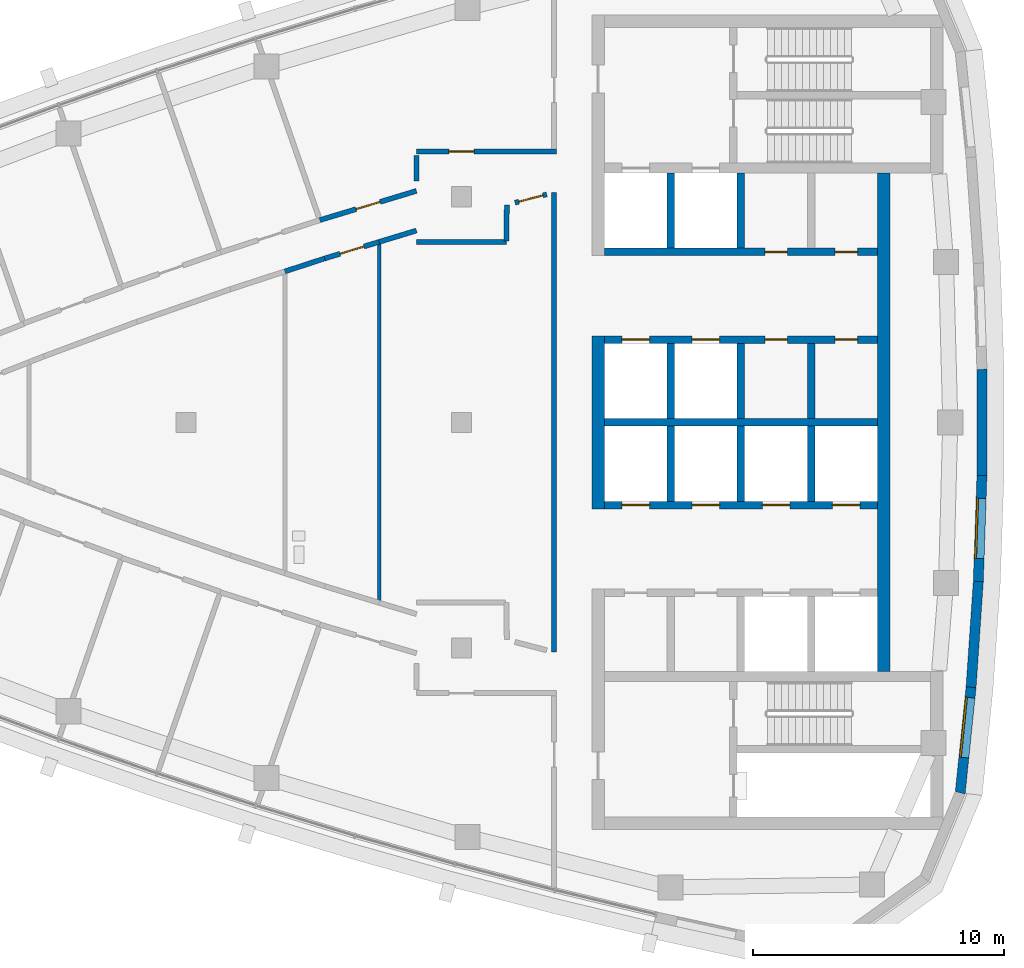
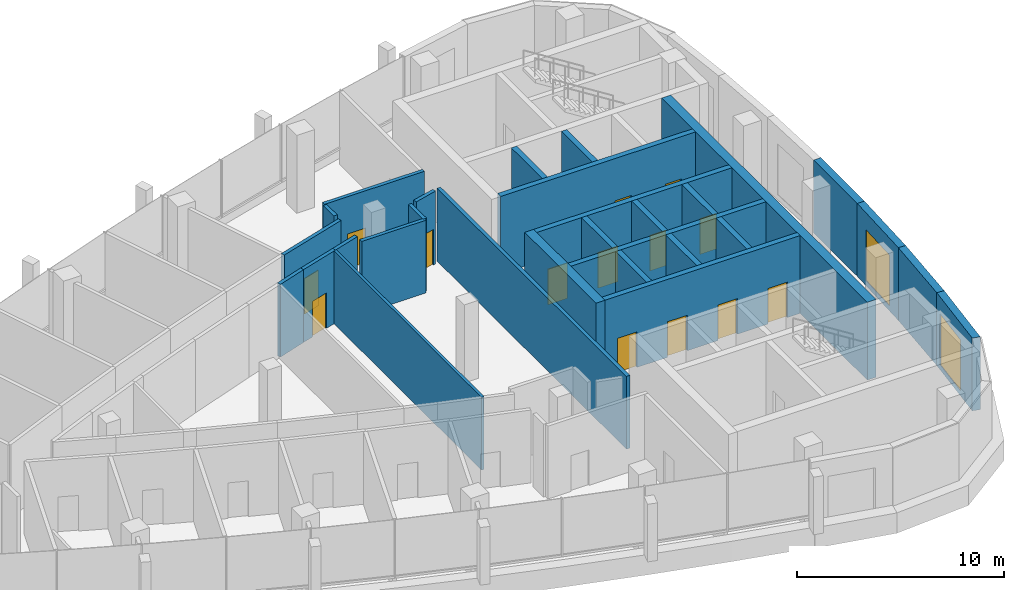
# One storey, part 9 of 15: 29 walls, 14 doors, 2 windows, 16 openings.
"""IFC4 building model written with IfcOpenShell, lengths in metres."""

from ifc_helpers import new_model, si_unit, direction, frame, frame_2d, origin, place, context, subcontext, project, spatial, polyline, rectangle, outline, extrude, material, layer, layer_set, type_object, element, fill, save


model = new_model("IFC4")

# Units and contexts
model_context = context("Model", 3, precision=1e-05, world=origin(), true_north=direction((0.0, 1.0)))
body_context = subcontext(model_context, "Body", "Model", "MODEL_VIEW")
ifc_project = project(units=[si_unit("LENGTHUNIT", "METRE"), si_unit("AREAUNIT", "SQUARE_METRE"), si_unit("VOLUMEUNIT", "CUBIC_METRE"), si_unit("PLANEANGLEUNIT", "RADIAN"), si_unit("MASSUNIT", "GRAM", prefix="KILO")], contexts=[model_context])

# Site, building, storey
site_placement = place(None, origin())
site = spatial("IfcSite", under=ifc_project, at=site_placement, CompositionType="ELEMENT")
building_placement = place(site_placement, origin())
building = spatial("IfcBuilding", under=site, at=building_placement, Name="Ostrand Prow Hotel Tower", CompositionType="ELEMENT")
storey_placement = place(building_placement, frame((0.0, 0.0, 308.60009765625)))
storey = spatial("IfcBuildingStorey", under=building, at=storey_placement, Name="C1", CompositionType="ELEMENT", Elevation=308.60009765625)

# Wall
ifc_material_1 = material(Name="Concrete C40/50", Category="concrete")
ifc_layer_1 = layer(ifc_material_1, 0.300048828125)
ifc_layer_set_1 = layer_set([ifc_layer_1], Name="Concrete C40/50")
wall_type_1 = type_object("IfcWallType", Name="Core wall 300 C40/50", PredefinedType="SHEAR", material=ifc_layer_set_1)
wall_1_placement = place(storey_placement, frame((50.699951171875, 0.0, 0.0), z_axis=(0.0, 0.0, 1.0), x_axis=(1.0, 0.0, 0.0)))
element("IfcWall", 1, at=wall_1_placement, inside=storey, type_object=wall_type_1, Name="Core wall PW-C", PredefinedType="SHEAR", context=body_context, shape_type="SweptSolid", body=[
    extrude(rectangle(XDim=10.900146484375, YDim=0.300048828125, at=frame_2d((5.4501953125, 0.0))), origin(), (0.0, 0.0, 1.0), 4.599853515625),
])

# Wall, openings, doors
wall_2_placement = place(storey_placement, frame((50.699951171875, 3.300048828125, 0.0), z_axis=(0.0, 0.0, 1.0), x_axis=(1.0, 0.0, 0.0)))
wall_2 = element("IfcWall", 2, at=wall_2_placement, inside=storey, type_object=wall_type_1, Name="Core wall PW-L1-N", PredefinedType="SHEAR", context=body_context, shape_type="SweptSolid", body=[
    extrude(rectangle(XDim=10.900146484375, YDim=0.300048828125, at=frame_2d((5.4501953125, 0.0))), origin(), (0.0, 0.0, 1.0), 4.599853515625),
])
opening_1_placement = place(wall_2_placement, frame((0.699951171875, 0.0, 0.0)))
opening_1 = element("IfcOpeningElement", 3, at=opening_1_placement, cuts=wall_2, Name="Opening LD", PredefinedType="OPENING", context=body_context, shape_type="SweptSolid", body=[
    extrude(rectangle(XDim=1.10009765625, YDim=2.10009765625, at=frame_2d((0.550048828125, 1.050048828125))), frame((0.0, 0.159912109375, 0.0), z_axis=(0.0, -1.0, 0.0), x_axis=(1.0, 0.0, 0.0)), (0.0, 0.0, 1.0), 0.320068359375),
])
opening_2_placement = place(wall_2_placement, frame((3.5, 0.0, 0.0)))
opening_2 = element("IfcOpeningElement", 4, at=opening_2_placement, cuts=wall_2, Name="Opening LD", PredefinedType="OPENING", context=body_context, shape_type="SweptSolid", body=[
    extrude(rectangle(XDim=1.10009765625, YDim=2.10009765625, at=frame_2d((0.550048828125, 1.050048828125))), frame((0.0, 0.159912109375, 0.0), z_axis=(0.0, -1.0, 0.0), x_axis=(1.0, 0.0, 0.0)), (0.0, 0.0, 1.0), 0.320068359375),
])
opening_3_placement = place(wall_2_placement, frame((6.39990234375, 0.0, 0.0)))
opening_3 = element("IfcOpeningElement", 5, at=opening_3_placement, cuts=wall_2, Name="Opening FD2", PredefinedType="OPENING", context=body_context, shape_type="SweptSolid", body=[
    extrude(rectangle(XDim=0.89990234375, YDim=2.10009765625, at=frame_2d((0.449951171875, 1.050048828125))), frame((0.0, 0.159912109375, 0.0), z_axis=(0.0, -1.0, 0.0), x_axis=(1.0, 0.0, 0.0)), (0.0, 0.0, 1.0), 0.320068359375),
])
opening_4_placement = place(wall_2_placement, frame((9.199951171875, 0.0, 0.0)))
opening_4 = element("IfcOpeningElement", 6, at=opening_4_placement, cuts=wall_2, Name="Opening FD2", PredefinedType="OPENING", context=body_context, shape_type="SweptSolid", body=[
    extrude(rectangle(XDim=0.89990234375, YDim=2.10009765625, at=frame_2d((0.449951171875, 1.050048828125))), frame((0.0, 0.159912109375, 0.0), z_axis=(0.0, -1.0, 0.0), x_axis=(1.0, 0.0, 0.0)), (0.0, 0.0, 1.0), 0.320068359375),
])
ifc_material_2 = material(Name="Steel fire door", Category="steel")
door_type_1 = type_object("IfcDoorType", Name="Fire door 900 EI120", OperationType="SINGLE_SWING_LEFT", PredefinedType="DOOR", material=ifc_material_2)
door_1_placement = place(opening_3_placement, origin())
door_1 = element("IfcDoor", 7, at=door_1_placement, inside=storey, type_object=door_type_1, Name="DOOR", OperationType="SINGLE_SWING_LEFT", OverallHeight=2.10009765625, OverallWidth=0.89990234375, PredefinedType="DOOR", context=body_context, shape_type="SweptSolid", body=[
    extrude(rectangle(XDim=0.89990234375, YDim=2.10009765625, at=frame_2d((0.449951171875, 1.050048828125))), frame((0.0, 0.02490234375, 0.0), z_axis=(0.0, -1.0, 0.0), x_axis=(1.0, 0.0, 0.0)), (0.0, 0.0, 1.0), 0.050048828125),
])
fill(opening_3, door_1)
door_2_placement = place(opening_4_placement, origin())
door_2 = element("IfcDoor", 8, at=door_2_placement, inside=storey, type_object=door_type_1, Name="DOOR", OperationType="SINGLE_SWING_LEFT", OverallHeight=2.10009765625, OverallWidth=0.89990234375, PredefinedType="DOOR", context=body_context, shape_type="SweptSolid", body=[
    extrude(rectangle(XDim=0.89990234375, YDim=2.10009765625, at=frame_2d((0.449951171875, 1.050048828125))), frame((0.0, 0.02490234375, 0.0), z_axis=(0.0, -1.0, 0.0), x_axis=(1.0, 0.0, 0.0)), (0.0, 0.0, 1.0), 0.050048828125),
])
fill(opening_4, door_2)
ifc_material_3 = material(Name="Stainless steel door", Category="steel")
door_type_2 = type_object("IfcDoorType", Name="Lift landing door 1100", OperationType="DOUBLE_DOOR_SLIDING", PredefinedType="DOOR", material=ifc_material_3)
door_3_placement = place(opening_1_placement, origin())
door_3 = element("IfcDoor", 9, at=door_3_placement, inside=storey, type_object=door_type_2, Name="LIFT LANDING DOOR", OperationType="DOUBLE_DOOR_SLIDING", OverallHeight=2.10009765625, OverallWidth=1.10009765625, PredefinedType="DOOR", context=body_context, shape_type="SweptSolid", body=[
    extrude(rectangle(XDim=1.10009765625, YDim=2.10009765625, at=frame_2d((0.550048828125, 1.050048828125))), frame((0.0, 0.02490234375, 0.0), z_axis=(0.0, -1.0, 0.0), x_axis=(1.0, 0.0, 0.0)), (0.0, 0.0, 1.0), 0.050048828125),
])
fill(opening_1, door_3)
door_4_placement = place(opening_2_placement, origin())
door_4 = element("IfcDoor", 10, at=door_4_placement, inside=storey, type_object=door_type_2, Name="LIFT LANDING DOOR", OperationType="DOUBLE_DOOR_SLIDING", OverallHeight=2.10009765625, OverallWidth=1.10009765625, PredefinedType="DOOR", context=body_context, shape_type="SweptSolid", body=[
    extrude(rectangle(XDim=1.10009765625, YDim=2.10009765625, at=frame_2d((0.550048828125, 1.050048828125))), frame((0.0, 0.02490234375, 0.0), z_axis=(0.0, -1.0, 0.0), x_axis=(1.0, 0.0, 0.0)), (0.0, 0.0, 1.0), 0.050048828125),
])
fill(opening_2, door_4)

wall_3_placement = place(storey_placement, frame((50.699951171875, 6.800048828125, 0.0), z_axis=(0.0, 0.0, 1.0), x_axis=(1.0, 0.0, 0.0)))
wall_3 = element("IfcWall", 11, at=wall_3_placement, inside=storey, type_object=wall_type_1, Name="Core wall PW-L2-N", PredefinedType="SHEAR", context=body_context, shape_type="SweptSolid", body=[
    extrude(rectangle(XDim=10.900146484375, YDim=0.300048828125, at=frame_2d((5.4501953125, 0.0))), origin(), (0.0, 0.0, 1.0), 4.599853515625),
])
opening_5_placement = place(wall_3_placement, frame((6.39990234375, 0.0, 0.0)))
opening_5 = element("IfcOpeningElement", 12, at=opening_5_placement, cuts=wall_3, Name="Opening FD2", PredefinedType="OPENING", context=body_context, shape_type="SweptSolid", body=[
    extrude(rectangle(XDim=0.89990234375, YDim=2.10009765625, at=frame_2d((0.449951171875, 1.050048828125))), frame((0.0, 0.159912109375, 0.0), z_axis=(0.0, -1.0, 0.0), x_axis=(1.0, 0.0, 0.0)), (0.0, 0.0, 1.0), 0.320068359375),
])
opening_6_placement = place(wall_3_placement, frame((9.199951171875, 0.0, 0.0)))
opening_6 = element("IfcOpeningElement", 13, at=opening_6_placement, cuts=wall_3, Name="Opening FD2", PredefinedType="OPENING", context=body_context, shape_type="SweptSolid", body=[
    extrude(rectangle(XDim=0.89990234375, YDim=2.10009765625, at=frame_2d((0.449951171875, 1.050048828125))), frame((0.0, 0.159912109375, 0.0), z_axis=(0.0, -1.0, 0.0), x_axis=(1.0, 0.0, 0.0)), (0.0, 0.0, 1.0), 0.320068359375),
])
door_5_placement = place(opening_5_placement, origin())
door_5 = element("IfcDoor", 14, at=door_5_placement, inside=storey, type_object=door_type_1, Name="DOOR", OperationType="SINGLE_SWING_LEFT", OverallHeight=2.10009765625, OverallWidth=0.89990234375, PredefinedType="DOOR", context=body_context, shape_type="SweptSolid", body=[
    extrude(rectangle(XDim=0.89990234375, YDim=2.10009765625, at=frame_2d((0.449951171875, 1.050048828125))), frame((0.0, 0.02490234375, 0.0), z_axis=(0.0, -1.0, 0.0), x_axis=(1.0, 0.0, 0.0)), (0.0, 0.0, 1.0), 0.050048828125),
])
fill(opening_5, door_5)
door_6_placement = place(opening_6_placement, origin())
door_6 = element("IfcDoor", 15, at=door_6_placement, inside=storey, type_object=door_type_1, Name="DOOR", OperationType="SINGLE_SWING_LEFT", OverallHeight=2.10009765625, OverallWidth=0.89990234375, PredefinedType="DOOR", context=body_context, shape_type="SweptSolid", body=[
    extrude(rectangle(XDim=0.89990234375, YDim=2.10009765625, at=frame_2d((0.449951171875, 1.050048828125))), frame((0.0, 0.02490234375, 0.0), z_axis=(0.0, -1.0, 0.0), x_axis=(1.0, 0.0, 0.0)), (0.0, 0.0, 1.0), 0.050048828125),
])
fill(opening_6, door_6)

# Walls
for number, where, z_axis, x_axis, name in (
    (16, (53.35009765625, 0.14990234375, 0.0), (0.0, 0.0, 1.0), (0.0, 1.0, 0.0), "Core wall PW-R1-NB"),
    (17, (53.35009765625, 6.949951171875, 0.0), (0.0, 0.0, 1.0), (0.0, 1.0, 0.0), "Core wall PW-R1-NA"),
    (18, (56.14990234375, 0.14990234375, 0.0), (0.0, 0.0, 1.0), (0.0, 1.0, 0.0), "Core wall PW-R2-NB"),
    (19, (56.14990234375, 6.949951171875, 0.0), (0.0, 0.0, 1.0), (0.0, 1.0, 0.0), "Core wall PW-R2-NA"),
    (20, (58.949951171875, 0.14990234375, 0.0), (0.0, 0.0, 1.0), (0.0, 1.0, 0.0), "Core wall PW-R3-NB"),
):
    element("IfcWall", number, at=place(storey_placement, frame(where, z_axis=z_axis, x_axis=x_axis)), inside=storey, type_object=wall_type_1, Name=name, PredefinedType="SHEAR", context=body_context, shape_type="SweptSolid", body=[
        extrude(rectangle(XDim=3.0, YDim=0.300048828125, at=frame_2d((1.5, 0.0))), origin(), (0.0, 0.0, 1.0), 4.599853515625),
    ])

# Wall, openings, doors
wall_4_placement = place(storey_placement, frame((50.699951171875, -3.300048828125, 0.0), z_axis=(0.0, 0.0, 1.0), x_axis=(1.0, 0.0, 0.0)))
wall_4 = element("IfcWall", 21, at=wall_4_placement, inside=storey, type_object=wall_type_1, Name="Core wall PW-L1-S", PredefinedType="SHEAR", context=body_context, shape_type="SweptSolid", body=[
    extrude(rectangle(XDim=10.900146484375, YDim=0.300048828125, at=frame_2d((5.4501953125, 0.0))), origin(), (0.0, 0.0, 1.0), 4.599853515625),
])
opening_7_placement = place(wall_4_placement, frame((0.699951171875, 0.0, 0.0)))
opening_7 = element("IfcOpeningElement", 22, at=opening_7_placement, cuts=wall_4, Name="Opening LD", PredefinedType="OPENING", context=body_context, shape_type="SweptSolid", body=[
    extrude(rectangle(XDim=1.10009765625, YDim=2.10009765625, at=frame_2d((0.550048828125, 1.050048828125))), frame((0.0, 0.159912109375, 0.0), z_axis=(0.0, -1.0, 0.0), x_axis=(1.0, 0.0, 0.0)), (0.0, 0.0, 1.0), 0.320068359375),
])
opening_8_placement = place(wall_4_placement, frame((3.5, 0.0, 0.0)))
opening_8 = element("IfcOpeningElement", 23, at=opening_8_placement, cuts=wall_4, Name="Opening LD", PredefinedType="OPENING", context=body_context, shape_type="SweptSolid", body=[
    extrude(rectangle(XDim=1.10009765625, YDim=2.10009765625, at=frame_2d((0.550048828125, 1.050048828125))), frame((0.0, 0.159912109375, 0.0), z_axis=(0.0, -1.0, 0.0), x_axis=(1.0, 0.0, 0.0)), (0.0, 0.0, 1.0), 0.320068359375),
])
opening_9_placement = place(wall_4_placement, frame((6.300048828125, 0.0, 0.0)))
opening_9 = element("IfcOpeningElement", 24, at=opening_9_placement, cuts=wall_4, Name="Opening LD", PredefinedType="OPENING", context=body_context, shape_type="SweptSolid", body=[
    extrude(rectangle(XDim=1.10009765625, YDim=2.10009765625, at=frame_2d((0.550048828125, 1.050048828125))), frame((0.0, 0.159912109375, 0.0), z_axis=(0.0, -1.0, 0.0), x_axis=(1.0, 0.0, 0.0)), (0.0, 0.0, 1.0), 0.320068359375),
])
opening_10_placement = place(wall_4_placement, frame((9.10009765625, 0.0, 0.0)))
opening_10 = element("IfcOpeningElement", 25, at=opening_10_placement, cuts=wall_4, Name="Opening LD", PredefinedType="OPENING", context=body_context, shape_type="SweptSolid", body=[
    extrude(rectangle(XDim=1.10009765625, YDim=2.10009765625, at=frame_2d((0.550048828125, 1.050048828125))), frame((0.0, 0.159912109375, 0.0), z_axis=(0.0, -1.0, 0.0), x_axis=(1.0, 0.0, 0.0)), (0.0, 0.0, 1.0), 0.320068359375),
])
door_7_placement = place(opening_7_placement, origin())
door_7 = element("IfcDoor", 26, at=door_7_placement, inside=storey, type_object=door_type_2, Name="LIFT LANDING DOOR", OperationType="DOUBLE_DOOR_SLIDING", OverallHeight=2.10009765625, OverallWidth=1.10009765625, PredefinedType="DOOR", context=body_context, shape_type="SweptSolid", body=[
    extrude(rectangle(XDim=1.10009765625, YDim=2.10009765625, at=frame_2d((0.550048828125, 1.050048828125))), frame((0.0, 0.02490234375, 0.0), z_axis=(0.0, -1.0, 0.0), x_axis=(1.0, 0.0, 0.0)), (0.0, 0.0, 1.0), 0.050048828125),
])
fill(opening_7, door_7)
door_8_placement = place(opening_8_placement, origin())
door_8 = element("IfcDoor", 27, at=door_8_placement, inside=storey, type_object=door_type_2, Name="LIFT LANDING DOOR", OperationType="DOUBLE_DOOR_SLIDING", OverallHeight=2.10009765625, OverallWidth=1.10009765625, PredefinedType="DOOR", context=body_context, shape_type="SweptSolid", body=[
    extrude(rectangle(XDim=1.10009765625, YDim=2.10009765625, at=frame_2d((0.550048828125, 1.050048828125))), frame((0.0, 0.02490234375, 0.0), z_axis=(0.0, -1.0, 0.0), x_axis=(1.0, 0.0, 0.0)), (0.0, 0.0, 1.0), 0.050048828125),
])
fill(opening_8, door_8)
door_9_placement = place(opening_9_placement, origin())
door_9 = element("IfcDoor", 28, at=door_9_placement, inside=storey, type_object=door_type_2, Name="LIFT LANDING DOOR", OperationType="DOUBLE_DOOR_SLIDING", OverallHeight=2.10009765625, OverallWidth=1.10009765625, PredefinedType="DOOR", context=body_context, shape_type="SweptSolid", body=[
    extrude(rectangle(XDim=1.10009765625, YDim=2.10009765625, at=frame_2d((0.550048828125, 1.050048828125))), frame((0.0, 0.02490234375, 0.0), z_axis=(0.0, -1.0, 0.0), x_axis=(1.0, 0.0, 0.0)), (0.0, 0.0, 1.0), 0.050048828125),
])
fill(opening_9, door_9)
door_10_placement = place(opening_10_placement, origin())
door_10 = element("IfcDoor", 29, at=door_10_placement, inside=storey, type_object=door_type_2, Name="LIFT LANDING DOOR", OperationType="DOUBLE_DOOR_SLIDING", OverallHeight=2.10009765625, OverallWidth=1.10009765625, PredefinedType="DOOR", context=body_context, shape_type="SweptSolid", body=[
    extrude(rectangle(XDim=1.10009765625, YDim=2.10009765625, at=frame_2d((0.550048828125, 1.050048828125))), frame((0.0, 0.02490234375, 0.0), z_axis=(0.0, -1.0, 0.0), x_axis=(1.0, 0.0, 0.0)), (0.0, 0.0, 1.0), 0.050048828125),
])
fill(opening_10, door_10)

# Walls
for number, where, z_axis, x_axis, name in (
    (30, (53.35009765625, -3.14990234375, 0.0), (0.0, 0.0, 1.0), (0.0, 1.0, 0.0), "Core wall PW-R1-SB"),
    (31, (56.14990234375, -3.14990234375, 0.0), (0.0, 0.0, 1.0), (0.0, 1.0, 0.0), "Core wall PW-R2-SB"),
    (32, (58.949951171875, -3.14990234375, 0.0), (0.0, 0.0, 1.0), (0.0, 1.0, 0.0), "Core wall PW-R3-SB"),
):
    element("IfcWall", number, at=place(storey_placement, frame(where, z_axis=z_axis, x_axis=x_axis)), inside=storey, type_object=wall_type_1, Name=name, PredefinedType="SHEAR", context=body_context, shape_type="SweptSolid", body=[
        extrude(rectangle(XDim=3.0, YDim=0.300048828125, at=frame_2d((1.5, 0.0))), origin(), (0.0, 0.0, 1.0), 4.599853515625),
    ])
ifc_material_4 = material(Name="Concrete C40/50", Category="concrete")
ifc_layer_2 = layer(ifc_material_4, 0.5)
ifc_layer_set_2 = layer_set([ifc_layer_2], Name="Concrete C40/50")
wall_type_2 = type_object("IfcWallType", Name="Core wall 500 C40/50", PredefinedType="SHEAR", material=ifc_layer_set_2)
wall_5_placement = place(storey_placement, frame((50.449951171875, -3.449951171875, 0.0), z_axis=(0.0, 0.0, 1.0), x_axis=(0.0, 1.0, 0.0)))
element("IfcWall", 33, at=wall_5_placement, inside=storey, type_object=wall_type_2, Name="Core wall CW-W-C", PredefinedType="SHEAR", context=body_context, shape_type="SweptSolid", body=[
    extrude(rectangle(XDim=6.89990234375, YDim=0.5, at=frame_2d((3.449951171875, 0.0))), origin(), (0.0, 0.0, 1.0), 4.599853515625),
])
wall_6_placement = place(storey_placement, frame((61.85009765625, -9.949951171875, 0.0), z_axis=(0.0, 0.0, 1.0), x_axis=(0.0, 1.0, 0.0)))
element("IfcWall", 34, at=wall_6_placement, inside=storey, type_object=wall_type_2, Name="Core wall CW-E-C", PredefinedType="SHEAR", context=body_context, shape_type="SweptSolid", body=[
    extrude(rectangle(XDim=19.89990234375, YDim=0.5, at=frame_2d((9.949951171875, 0.0))), origin(), (0.0, 0.0, 1.0), 4.599853515625),
])
ifc_material_5 = material(Name="Plasterboard partition")
ifc_layer_3 = layer(ifc_material_5, 0.14990234375)
ifc_layer_set_3 = layer_set([ifc_layer_3], Name="Plasterboard partition")
wall_type_3 = type_object("IfcWallType", Name="Partition 150 room partition", PredefinedType="PARTITIONING", material=ifc_layer_set_3)
wall_7_placement = place(storey_placement, frame((41.713623046875, -7.19921875, 0.0), z_axis=(0.0, 0.0, 1.0), x_axis=(0.0, 1.0, 0.0)))
element("IfcWall", 35, at=wall_7_placement, inside=storey, type_object=wall_type_3, Name="ROOM PARTITION", PredefinedType="PARTITIONING", context=body_context, shape_type="SweptSolid", body=[
    extrude(rectangle(XDim=14.3984375, YDim=0.14990234375, at=frame_2d((7.19921875, 0.0))), origin(), (0.0, 0.0, 1.0), 4.2998046875),
])

# Wall, opening, door
ifc_material_6 = material(Name="Plasterboard partition")
ifc_layer_4 = layer(ifc_material_6, 0.199951171875)
ifc_layer_set_4 = layer_set([ifc_layer_4], Name="Plasterboard partition")
wall_type_4 = type_object("IfcWallType", Name="Partition 200 corridor wall", PredefinedType="PARTITIONING", material=ifc_layer_set_4)
wall_8_placement = place(storey_placement, frame((43.199951171875, 9.2333984375, 0.0), z_axis=(0.0, 0.0, 1.0), x_axis=(-0.957187982889, -0.289467036833, 0.0)))
wall_8 = element("IfcWall", 36, at=wall_8_placement, inside=storey, type_object=wall_type_4, Name="CORRIDOR WALL", PredefinedType="PARTITIONING", context=body_context, shape_type="SweptSolid", body=[
    extrude(rectangle(XDim=4.025634765625, YDim=0.199951171875, at=frame_2d((2.0126953125, 0.0))), origin(), (0.0, 0.0, 1.0), 4.2998046875),
])
opening_11_placement = place(wall_8_placement, frame((1.5126953125, 0.0, 0.0)))
opening_11 = element("IfcOpeningElement", 37, at=opening_11_placement, cuts=wall_8, Name="Opening D1R", PredefinedType="OPENING", context=body_context, shape_type="SweptSolid", body=[
    extrude(rectangle(XDim=1.0, YDim=2.10009765625, at=frame_2d((0.5, 1.050048828125))), frame((0.0, 0.10986328125, 0.0), z_axis=(0.0, -1.0, 0.0), x_axis=(1.0, 0.0, 0.0)), (0.0, 0.0, 1.0), 0.219970703125),
])
ifc_material_7 = material(Name="Timber door leaf", Category="wood")
door_type_3 = type_object("IfcDoorType", Name="Guest room door 1000 right", OperationType="SINGLE_SWING_RIGHT", PredefinedType="DOOR", material=ifc_material_7)
door_11_placement = place(opening_11_placement, origin())
door_11 = element("IfcDoor", 38, at=door_11_placement, inside=storey, type_object=door_type_3, Name="DOOR", OperationType="SINGLE_SWING_RIGHT", OverallHeight=2.10009765625, OverallWidth=1.0, PredefinedType="DOOR", context=body_context, shape_type="SweptSolid", body=[
    extrude(rectangle(XDim=1.0, YDim=2.10009765625, at=frame_2d((0.5, 1.050048828125))), frame((0.0, 0.02490234375, 0.0), z_axis=(0.0, -1.0, 0.0), x_axis=(1.0, 0.0, 0.0)), (0.0, 0.0, 1.0), 0.050048828125),
])
fill(opening_11, door_11)

wall_9_placement = place(storey_placement, frame((39.543701171875, 6.539306640625, 0.0), z_axis=(0.0, 0.0, 1.0), x_axis=(0.956735130354, 0.290960289981, 0.0)))
wall_9 = element("IfcWall", 39, at=wall_9_placement, inside=storey, type_object=wall_type_4, Name="CORRIDOR WALL", PredefinedType="PARTITIONING", context=body_context, shape_type="SweptSolid", body=[
    extrude(rectangle(XDim=2.26806640625, YDim=0.199951171875, at=frame_2d((1.134033203125, 0.0))), origin(), (0.0, 0.0, 1.0), 4.2998046875),
])
opening_12_placement = place(wall_9_placement, frame((0.634033203125, 0.0, 0.0)))
opening_12 = element("IfcOpeningElement", 40, at=opening_12_placement, cuts=wall_9, Name="Opening D1", PredefinedType="OPENING", context=body_context, shape_type="SweptSolid", body=[
    extrude(rectangle(XDim=1.0, YDim=2.10009765625, at=frame_2d((0.5, 1.050048828125))), frame((0.0, 0.10986328125, 0.0), z_axis=(0.0, -1.0, 0.0), x_axis=(1.0, 0.0, 0.0)), (0.0, 0.0, 1.0), 0.219970703125),
])
ifc_material_8 = material(Name="Timber door leaf", Category="wood")
door_type_4 = type_object("IfcDoorType", Name="Guest room door 1000", OperationType="SINGLE_SWING_LEFT", PredefinedType="DOOR", material=ifc_material_8)
door_12_placement = place(opening_12_placement, origin())
door_12 = element("IfcDoor", 41, at=door_12_placement, inside=storey, type_object=door_type_4, Name="DOOR", OperationType="SINGLE_SWING_LEFT", OverallHeight=2.10009765625, OverallWidth=1.0, PredefinedType="DOOR", context=body_context, shape_type="SweptSolid", body=[
    extrude(rectangle(XDim=1.0, YDim=2.10009765625, at=frame_2d((0.5, 1.050048828125))), frame((0.0, 0.02490234375, 0.0), z_axis=(0.0, -1.0, 0.0), x_axis=(1.0, 0.0, 0.0)), (0.0, 0.0, 1.0), 0.050048828125),
])
fill(opening_12, door_12)

# Walls
wall_10_placement = place(storey_placement, frame((37.95166015625, 6.02001953125, 0.0), z_axis=(0.0, 0.0, 1.0), x_axis=(0.950704614016, 0.310097947249, 0.0)))
element("IfcWall", 42, at=wall_10_placement, inside=storey, type_object=wall_type_4, Name="CORRIDOR WALL", PredefinedType="PARTITIONING", context=body_context, shape_type="SweptSolid", body=[
    extrude(rectangle(XDim=1.674560546875, YDim=0.199951171875, at=frame_2d((0.83740234375, 0.0))), origin(), (0.0, 0.0, 1.0), 4.2998046875),
])
wall_11_placement = place(storey_placement, frame((41.713623046875, 7.19921875, 0.0), z_axis=(0.0, 0.0, 1.0), x_axis=(0.956755682532, 0.290892701769, 0.0)))
element("IfcWall", 43, at=wall_11_placement, inside=storey, type_object=wall_type_4, Name="CORRIDOR WALL", PredefinedType="PARTITIONING", context=body_context, shape_type="SweptSolid", body=[
    extrude(rectangle(XDim=1.553466796875, YDim=0.199951171875, at=frame_2d((0.77685546875, 0.0))), origin(), (0.0, 0.0, 1.0), 4.2998046875),
])

# Wall, opening, door
wall_12_placement = place(storey_placement, frame((48.794921875, 10.80517578125, 0.0), z_axis=(0.0, 0.0, 1.0), x_axis=(-0.999999999048, -4.3628114e-05, 0.0)))
wall_12 = element("IfcWall", 44, at=wall_12_placement, inside=storey, type_object=wall_type_4, Name="CORRIDOR WALL", PredefinedType="PARTITIONING", context=body_context, shape_type="SweptSolid", body=[
    extrude(rectangle(XDim=5.595947265625, YDim=0.199951171875, at=frame_2d((2.7978515625, 0.0))), origin(), (0.0, 0.0, 1.0), 4.2998046875),
])
opening_13_placement = place(wall_12_placement, frame((3.29541015625, 0.0, 0.0)))
opening_13 = element("IfcOpeningElement", 45, at=opening_13_placement, cuts=wall_12, Name="Opening D1", PredefinedType="OPENING", context=body_context, shape_type="SweptSolid", body=[
    extrude(rectangle(XDim=1.0, YDim=2.10009765625, at=frame_2d((0.5, 1.050048828125))), frame((0.0, 0.10986328125, 0.0), z_axis=(0.0, -1.0, 0.0), x_axis=(1.0, 0.0, 0.0)), (0.0, 0.0, 1.0), 0.219970703125),
])
door_13_placement = place(opening_13_placement, origin())
door_13 = element("IfcDoor", 46, at=door_13_placement, inside=storey, type_object=door_type_4, Name="DOOR", OperationType="SINGLE_SWING_LEFT", OverallHeight=2.10009765625, OverallWidth=1.0, PredefinedType="DOOR", context=body_context, shape_type="SweptSolid", body=[
    extrude(rectangle(XDim=1.0, YDim=2.10009765625, at=frame_2d((0.5, 1.050048828125))), frame((0.0, 0.02490234375, 0.0), z_axis=(0.0, -1.0, 0.0), x_axis=(1.0, 0.0, 0.0)), (0.0, 0.0, 1.0), 0.050048828125),
])
fill(opening_13, door_13)

wall_13_placement = place(storey_placement, frame((47.13427734375, 8.764404296875, 0.0), z_axis=(0.0, 0.0, 1.0), x_axis=(0.967678694968, 0.252186326563, 0.0)))
wall_13 = element("IfcWall", 47, at=wall_13_placement, inside=storey, type_object=wall_type_4, Name="CORRIDOR WALL", PredefinedType="PARTITIONING", context=body_context, shape_type="SweptSolid", body=[
    extrude(rectangle(XDim=1.307861328125, YDim=0.199951171875, at=frame_2d((0.65380859375, 0.0))), origin(), (0.0, 0.0, 1.0), 4.2998046875),
])
opening_14_placement = place(wall_13_placement, frame((0.154052734375, 0.0, 0.0)))
opening_14 = element("IfcOpeningElement", 48, at=opening_14_placement, cuts=wall_13, Name="Opening D1R", PredefinedType="OPENING", context=body_context, shape_type="SweptSolid", body=[
    extrude(rectangle(XDim=1.0, YDim=2.10009765625, at=frame_2d((0.5, 1.050048828125))), frame((0.0, 0.10986328125, 0.0), z_axis=(0.0, -1.0, 0.0), x_axis=(1.0, 0.0, 0.0)), (0.0, 0.0, 1.0), 0.219970703125),
])
door_14_placement = place(opening_14_placement, origin())
door_14 = element("IfcDoor", 49, at=door_14_placement, inside=storey, type_object=door_type_3, Name="DOOR", OperationType="SINGLE_SWING_RIGHT", OverallHeight=2.10009765625, OverallWidth=1.0, PredefinedType="DOOR", context=body_context, shape_type="SweptSolid", body=[
    extrude(rectangle(XDim=1.0, YDim=2.10009765625, at=frame_2d((0.5, 1.050048828125))), frame((0.0, 0.02490234375, 0.0), z_axis=(0.0, -1.0, 0.0), x_axis=(1.0, 0.0, 0.0)), (0.0, 0.0, 1.0), 0.050048828125),
])
fill(opening_14, door_14)

# Walls
wall_14_placement = place(storey_placement, frame((43.199462890625, 7.195068359375, 0.0), z_axis=(0.0, 0.0, 1.0), x_axis=(0.999999997703, 6.7778229e-05, 0.0)))
element("IfcWall", 50, at=wall_14_placement, inside=storey, type_object=wall_type_4, Name="CORRIDOR WALL", PredefinedType="PARTITIONING", context=body_context, shape_type="SweptSolid", body=[
    extrude(rectangle(XDim=3.60205078125, YDim=0.199951171875, at=frame_2d((1.801025390625, 0.0))), origin(), (0.0, 0.0, 1.0), 4.2998046875),
])
wall_15_placement = place(storey_placement, frame((46.801513671875, 7.235107421875, 0.0), z_axis=(0.0, 0.0, 1.0), x_axis=(0.00238825658, 0.999997148111, 0.0)))
element("IfcWall", 51, at=wall_15_placement, inside=storey, type_object=wall_type_4, Name="CORRIDOR WALL", PredefinedType="PARTITIONING", context=body_context, shape_type="SweptSolid", body=[
    extrude(rectangle(XDim=1.43115234375, YDim=0.199951171875, at=frame_2d((0.715576171875, 0.0))), origin(), (0.0, 0.0, 1.0), 4.2998046875),
])
wall_16_placement = place(storey_placement, frame((48.695068359375, 9.166015625, 0.0), z_axis=(0.0, 0.0, 1.0), x_axis=(0.0, -1.0, 0.0)))
element("IfcWall", 52, at=wall_16_placement, inside=storey, type_object=wall_type_4, Name="CORRIDOR WALL", PredefinedType="PARTITIONING", context=body_context, shape_type="SweptSolid", body=[
    extrude(rectangle(XDim=18.33203125, YDim=0.199951171875, at=frame_2d((9.166015625, 0.0))), origin(), (0.0, 0.0, 1.0), 4.2998046875),
])
wall_17_placement = place(storey_placement, frame((43.199951171875, 9.632080078125, 0.0), z_axis=(0.0, 0.0, 1.0), x_axis=(0.0, 1.0, 0.0)))
element("IfcWall", 53, at=wall_17_placement, inside=storey, type_object=wall_type_4, Name="CORRIDOR WALL", PredefinedType="PARTITIONING", context=body_context, shape_type="SweptSolid", body=[
    extrude(rectangle(XDim=1.022705078125, YDim=0.199951171875, at=frame_2d((0.51123046875, 0.0))), origin(), (0.0, 0.0, 1.0), 4.2998046875),
])

# Wall, opening, window
ifc_material_9 = material(Name="Precast concrete C40/50", Category="concrete")
ifc_layer_5 = layer(ifc_material_9, 0.39990234375)
ifc_layer_set_5 = layer_set([ifc_layer_5], Name="Precast concrete C40/50")
wall_type_5 = type_object("IfcWallType", Name="Stone-faced precast wall 400 mm", PredefinedType="NOTDEFINED", material=ifc_layer_set_5)
wall_18_placement = place(storey_placement, frame((64.898193359375, -14.782470703125, 0.0), z_axis=(0.0, 0.0, 1.0), x_axis=(0.102249826987, 0.994758751096, 0.0)))
wall_18 = element("IfcWall", 54, at=wall_18_placement, inside=storey, type_object=wall_type_5, Name="Stone-faced wall back 5", PredefinedType="NOTDEFINED", context=body_context, shape_type="SweptSolid", body=[
    extrude(outline(polyline([(-0.029541015625, -0.199951171875), (4.23681640625, -0.199951171875), (4.22998046875, 0.199951171875), (0.029541015625, 0.199951171875), (-0.029541015625, -0.199951171875)])), origin(), (0.0, 0.0, 1.0), 4.2998046875),
])
opening_15_placement = place(wall_18_placement, frame((1.416748046875, 0.0, 0.300048828125)))
opening_15 = element("IfcOpeningElement", 55, at=opening_15_placement, cuts=wall_18, Name="Opening WR1", PredefinedType="OPENING", context=body_context, shape_type="SweptSolid", body=[
    extrude(rectangle(XDim=2.39990234375, YDim=3.0, at=frame_2d((1.199951171875, 1.5))), frame((0.0, 0.2099609375, 0.0), z_axis=(0.0, -1.0, 0.0), x_axis=(1.0, 0.0, 0.0)), (0.0, 0.0, 1.0), 0.419921875),
])
ifc_material_10 = material(Name="Insulated glass in bronze frame", Category="glass")
window_type = type_object("IfcWindowType", Name="Restaurant window 2400x3000", PartitioningType="SINGLE_PANEL", PredefinedType="WINDOW", material=ifc_material_10)
window_1_placement = place(opening_15_placement, origin())
window_1 = element("IfcWindow", 56, at=window_1_placement, inside=storey, type_object=window_type, Name="Window back 5.1", OverallHeight=3.0, OverallWidth=2.39990234375, PartitioningType="SINGLE_PANEL", PredefinedType="WINDOW", context=body_context, shape_type="SweptSolid", body=[
    extrude(rectangle(XDim=2.39990234375, YDim=3.0, at=frame_2d((1.199951171875, 1.5))), frame((0.0, 0.169921875, 0.0), z_axis=(0.0, -1.0, 0.0), x_axis=(1.0, 0.0, 0.0)), (0.0, 0.0, 1.0), 0.06005859375),
])
fill(opening_15, window_1)

# Wall
wall_19_placement = place(storey_placement, frame((65.3310546875, -10.5712890625, 0.0), z_axis=(0.0, 0.0, 1.0), x_axis=(0.068279584479, 0.997666225921, 0.0)))
element("IfcWall", 57, at=wall_19_placement, inside=storey, type_object=wall_type_5, Name="Stone-faced wall back 6", PredefinedType="NOTDEFINED", context=body_context, shape_type="SweptSolid", body=[
    extrude(outline(polyline([(-0.00341796875, -0.199951171875), (4.23681640625, -0.199951171875), (4.22998046875, 0.199951171875), (0.00341796875, 0.199951171875), (-0.00341796875, -0.199951171875)])), origin(), (0.0, 0.0, 1.0), 4.2998046875),
])

# Wall, opening, window
wall_20_placement = place(storey_placement, frame((65.6201171875, -6.34765625, 0.0), z_axis=(0.0, 0.0, 1.0), x_axis=(0.034082898699, 0.999419009233, 0.0)))
wall_20 = element("IfcWall", 58, at=wall_20_placement, inside=storey, type_object=wall_type_5, Name="Stone-faced wall back 7", PredefinedType="NOTDEFINED", context=body_context, shape_type="SweptSolid", body=[
    extrude(outline(polyline([(-0.00341796875, -0.199951171875), (4.23681640625, -0.199951171875), (4.22998046875, 0.199951171875), (0.00341796875, 0.199951171875), (-0.00341796875, -0.199951171875)])), origin(), (0.0, 0.0, 1.0), 4.2998046875),
])
opening_16_placement = place(wall_20_placement, frame((0.916748046875, 0.0, 0.300048828125)))
opening_16 = element("IfcOpeningElement", 59, at=opening_16_placement, cuts=wall_20, Name="Opening WR1", PredefinedType="OPENING", context=body_context, shape_type="SweptSolid", body=[
    extrude(rectangle(XDim=2.39990234375, YDim=3.0, at=frame_2d((1.199951171875, 1.5))), frame((0.0, 0.2099609375, 0.0), z_axis=(0.0, -1.0, 0.0), x_axis=(1.0, 0.0, 0.0)), (0.0, 0.0, 1.0), 0.419921875),
])
window_2_placement = place(opening_16_placement, origin())
window_2 = element("IfcWindow", 60, at=window_2_placement, inside=storey, type_object=window_type, Name="Window back 7.1", OverallHeight=3.0, OverallWidth=2.39990234375, PartitioningType="SINGLE_PANEL", PredefinedType="WINDOW", context=body_context, shape_type="SweptSolid", body=[
    extrude(rectangle(XDim=2.39990234375, YDim=3.0, at=frame_2d((1.199951171875, 1.5))), frame((0.0, 0.169921875, 0.0), z_axis=(0.0, -1.0, 0.0), x_axis=(1.0, 0.0, 0.0)), (0.0, 0.0, 1.0), 0.06005859375),
])
fill(opening_16, window_2)

# Wall
wall_21_placement = place(storey_placement, frame((65.764404296875, -2.11669921875, 0.0), z_axis=(0.0, 0.0, 1.0), x_axis=(0.0, 1.0, 0.0)))
element("IfcWall", 61, at=wall_21_placement, inside=storey, type_object=wall_type_5, Name="Stone-faced wall back 8", PredefinedType="NOTDEFINED", context=body_context, shape_type="SweptSolid", body=[
    extrude(outline(polyline([(-0.00341796875, -0.199951171875), (4.23681640625, -0.199951171875), (4.22998046875, 0.199951171875), (0.00341796875, 0.199951171875), (-0.00341796875, -0.199951171875)])), origin(), (0.0, 0.0, 1.0), 4.2998046875),
])

save(model, "model.ifc")
